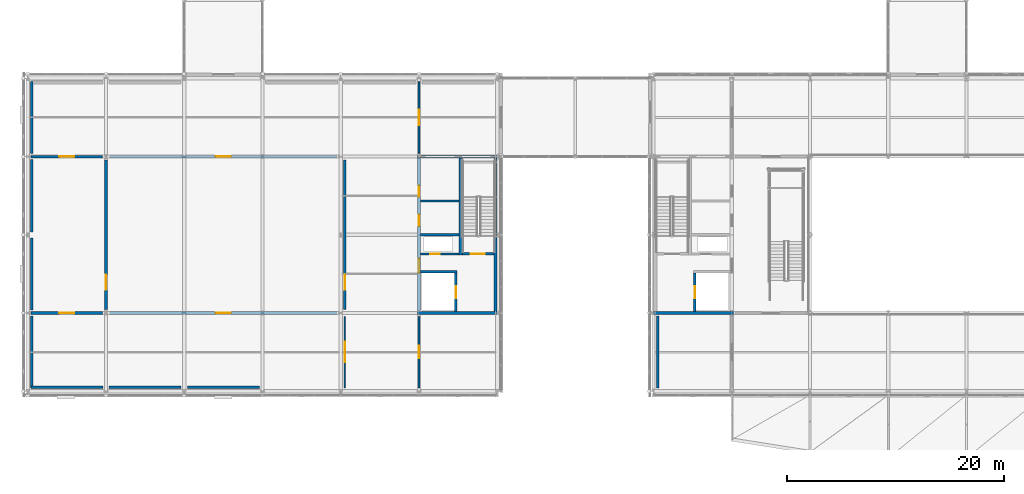
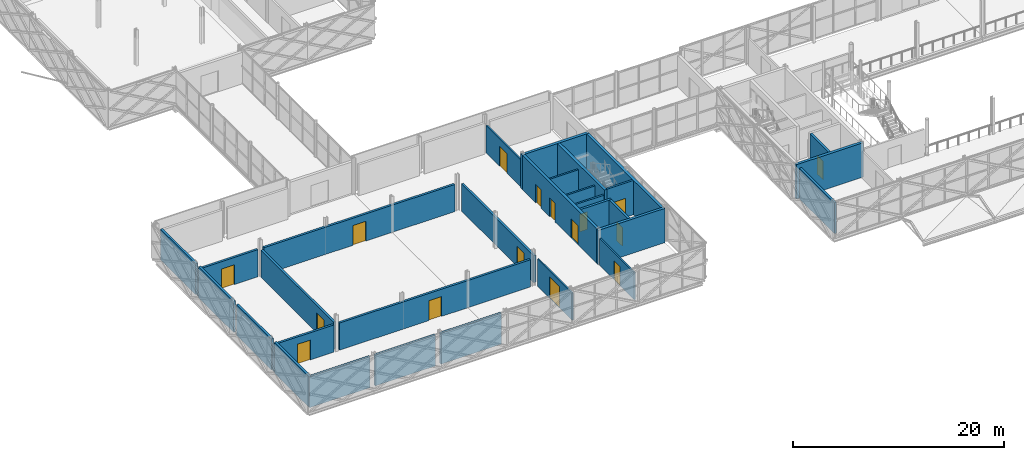
# One storey, part 118 of 146: 30 walls, 16 doors, 16 openings.
"""IFC4 building model written with IfcOpenShell, lengths in metres."""

from ifc_helpers import new_model, si_unit, direction, frame, frame_2d, origin, place, context, subcontext, project, spatial, rectangle, extrude, material, layer, layer_set, type_object, element, fill, save


model = new_model("IFC4")

# Units and contexts
model_context = context("Model", 3, precision=1e-05, world=origin(), true_north=direction((0.0, 1.0)))
body_context = subcontext(model_context, "Body", "Model", "MODEL_VIEW")
ifc_project = project(units=[si_unit("LENGTHUNIT", "METRE"), si_unit("AREAUNIT", "SQUARE_METRE"), si_unit("VOLUMEUNIT", "CUBIC_METRE"), si_unit("PLANEANGLEUNIT", "RADIAN"), si_unit("MASSUNIT", "GRAM", prefix="KILO")], contexts=[model_context])

# Site, building, storey
site_placement = place(None, origin())
site = spatial("IfcSite", under=ifc_project, at=site_placement, CompositionType="ELEMENT")
building_placement = place(site_placement, origin())
building = spatial("IfcBuilding", under=site, at=building_placement, Name="Zlatovets Crest Museum", CompositionType="ELEMENT")
storey_placement = place(building_placement, frame((0.0, 0.0, 4.5)))
storey = spatial("IfcBuildingStorey", under=building, at=storey_placement, Name="L01", CompositionType="ELEMENT", Elevation=4.5)

# Walls
ifc_material_1 = material(Name="Concrete C35/45", Category="concrete")
ifc_layer_1 = layer(ifc_material_1, 0.300048828125)
ifc_layer_set_1 = layer_set([ifc_layer_1], Name="Concrete C35/45")
wall_type_1 = type_object("IfcWallType", Name="CoreWall_SW01", PredefinedType="SHEAR", material=ifc_layer_set_1)
for number, where, z_axis, x_axis, name in (
    (1, (57.60009765625, 7.199951171875, 0.0), (0.0, 0.0, 1.0), (1.0, 0.0, 0.0), "Core C2 L01 South Shear Wall"),
    (2, (35.85009765625, 7.199951171875, 0.0), (0.0, 0.0, 1.0), (1.0, 0.0, 0.0), "Core C3 L01 South Shear Wall"),
    (3, (35.85009765625, 21.60009765625, 0.0), (0.0, 0.0, 1.0), (1.0, 0.0, 0.0), "Core C3 L01 North Shear Wall"),
):
    element("IfcWall", number, at=place(storey_placement, frame(where, z_axis=z_axis, x_axis=x_axis)), inside=storey, type_object=wall_type_1, Name=name, PredefinedType="SHEAR", context=body_context, shape_type="SweptSolid", body=[
        extrude(rectangle(XDim=7.349853515625, YDim=0.300048828125, at=frame_2d((3.6748046875, 0.0))), origin(), (0.0, 0.0, 1.0), 3.97998046875),
    ])
wall_1_placement = place(storey_placement, frame((43.050048828125, 7.35009765625, 0.0), z_axis=(0.0, 0.0, 1.0), x_axis=(0.0, 1.0, 0.0)))
element("IfcWall", 4, at=wall_1_placement, inside=storey, type_object=wall_type_1, Name="Core C3 L01 Perimeter Shear Wall", PredefinedType="SHEAR", context=body_context, shape_type="SweptSolid", body=[
    extrude(rectangle(XDim=14.099853515625, YDim=0.300048828125, at=frame_2d((7.0498046875, 0.0))), origin(), (0.0, 0.0, 1.0), 3.97998046875),
])

# Wall, openings, doors
wall_2_placement = place(storey_placement, frame((36.0, 7.35009765625, 0.0), z_axis=(0.0, 0.0, 1.0), x_axis=(0.0, 1.0, 0.0)))
wall_2 = element("IfcWall", 5, at=wall_2_placement, inside=storey, type_object=wall_type_1, Name="Core C3 L01 Spine Shear Wall", PredefinedType="SHEAR", context=body_context, shape_type="SweptSolid", body=[
    extrude(rectangle(XDim=14.099853515625, YDim=0.300048828125, at=frame_2d((7.0498046875, 0.0))), origin(), (0.0, 0.0, 1.0), 3.97998046875),
])
opening_1_placement = place(wall_2_placement, frame((3.550048828125, 0.0, 0.0)))
opening_1 = element("IfcOpeningElement", 6, at=opening_1_placement, cuts=wall_2, Name="Opening FD-01", PredefinedType="OPENING", context=body_context, shape_type="SweptSolid", body=[
    extrude(rectangle(XDim=1.300048828125, YDim=2.199951171875, at=frame_2d((0.64990234375, 1.10009765625))), frame((0.0, 0.16015625, 0.0), z_axis=(0.0, -1.0, 0.0), x_axis=(1.0, 0.0, 0.0)), (0.0, 0.0, 1.0), 0.320068359375),
])
opening_2_placement = place(wall_2_placement, frame((7.85009765625, 0.0, 0.0)))
opening_2 = element("IfcOpeningElement", 7, at=opening_2_placement, cuts=wall_2, Name="Opening ID-02", PredefinedType="OPENING", context=body_context, shape_type="SweptSolid", body=[
    extrude(rectangle(XDim=1.050048828125, YDim=2.14990234375, at=frame_2d((0.52490234375, 1.074951171875))), frame((0.0, 0.16015625, 0.0), z_axis=(0.0, -1.0, 0.0), x_axis=(1.0, 0.0, 0.0)), (0.0, 0.0, 1.0), 0.320068359375),
])
opening_3_placement = place(wall_2_placement, frame((10.550048828125, 0.0, 0.0)))
opening_3 = element("IfcOpeningElement", 8, at=opening_3_placement, cuts=wall_2, Name="Opening ID-01", PredefinedType="OPENING", context=body_context, shape_type="SweptSolid", body=[
    extrude(rectangle(XDim=1.0, YDim=2.14990234375, at=frame_2d((0.5, 1.074951171875))), frame((0.0, 0.16015625, 0.0), z_axis=(0.0, -1.0, 0.0), x_axis=(1.0, 0.0, 0.0)), (0.0, 0.0, 1.0), 0.320068359375),
])
ifc_material_2 = material(Name="Smoke-sealed steel fire door", Category="steel")
door_type_1 = type_object("IfcDoorType", Name="IntDoor_FD-01", OperationType="NOTDEFINED", PredefinedType="DOOR", material=ifc_material_2)
door_1_placement = place(opening_1_placement, origin())
door_1 = element("IfcDoor", 9, at=door_1_placement, inside=storey, type_object=door_type_1, Name="CDOOR-C3-L01-LOB Core C3 L01 Lobby Fire Door", OperationType="SINGLE_SWING_LEFT", OverallHeight=2.199951171875, OverallWidth=1.300048828125, PredefinedType="DOOR", context=body_context, shape_type="SweptSolid", body=[
    extrude(rectangle(XDim=1.300048828125, YDim=2.199951171875, at=frame_2d((0.64990234375, 1.10009765625))), frame((0.0, 0.02490234375, 0.0), z_axis=(0.0, -1.0, 0.0), x_axis=(1.0, 0.0, 0.0)), (0.0, 0.0, 1.0), 0.050048828125),
])
fill(opening_1, door_1)
ifc_material_3 = material(Name="Solid oak museum room door")
door_type_2 = type_object("IfcDoorType", Name="IntDoor_ID-01", OperationType="NOTDEFINED", PredefinedType="DOOR", material=ifc_material_3)
door_2_placement = place(opening_3_placement, origin())
door_2 = element("IfcDoor", 10, at=door_2_placement, inside=storey, type_object=door_type_2, Name="CDOOR-C3-L01-WC Core C3 L01 Public Restroom Door", OperationType="SINGLE_SWING_RIGHT", OverallHeight=2.14990234375, OverallWidth=1.0, PredefinedType="DOOR", context=body_context, shape_type="SweptSolid", body=[
    extrude(rectangle(XDim=1.0, YDim=2.14990234375, at=frame_2d((0.5, 1.074951171875))), frame((0.0, 0.02490234375, 0.0), z_axis=(0.0, -1.0, 0.0), x_axis=(1.0, 0.0, 0.0)), (0.0, 0.0, 1.0), 0.050048828125),
])
fill(opening_3, door_2)
ifc_material_4 = material(Name="Accessible sanitary room door")
door_type_3 = type_object("IfcDoorType", Name="IntDoor_ID-02", OperationType="NOTDEFINED", PredefinedType="DOOR", material=ifc_material_4)
door_3_placement = place(opening_2_placement, origin())
door_3 = element("IfcDoor", 11, at=door_3_placement, inside=storey, type_object=door_type_3, Name="CDOOR-C3-L01-AWC Core C3 L01 Accessible WC Door", OperationType="SINGLE_SWING_LEFT", OverallHeight=2.14990234375, OverallWidth=1.050048828125, PredefinedType="DOOR", context=body_context, shape_type="SweptSolid", body=[
    extrude(rectangle(XDim=1.050048828125, YDim=2.14990234375, at=frame_2d((0.52490234375, 1.074951171875))), frame((0.0, 0.02490234375, 0.0), z_axis=(0.0, -1.0, 0.0), x_axis=(1.0, 0.0, 0.0)), (0.0, 0.0, 1.0), 0.050048828125),
])
fill(opening_2, door_3)

# Wall
wall_3_placement = place(storey_placement, frame((39.85009765625, 12.5400390625, 0.0), z_axis=(0.0, 0.0, 1.0), x_axis=(0.0, 1.0, 0.0)))
element("IfcWall", 12, at=wall_3_placement, inside=storey, type_object=wall_type_1, Name="Core C3 L01 Stair Divider Wall", PredefinedType="SHEAR", context=body_context, shape_type="SweptSolid", body=[
    extrude(rectangle(XDim=8.909912109375, YDim=0.300048828125, at=frame_2d((4.455078125, 0.0))), origin(), (0.0, 0.0, 1.0), 3.97998046875),
])

# Wall, opening, door
ifc_layer_2 = layer(ifc_material_1, 0.25)
ifc_layer_set_2 = layer_set([ifc_layer_2], Name="Concrete C35/45")
wall_type_2 = type_object("IfcWallType", Name="CoreWall_SW02", PredefinedType="SHEAR", material=ifc_layer_set_2)
wall_4_placement = place(storey_placement, frame((61.39990234375, 7.35009765625, 0.0), z_axis=(0.0, 0.0, 1.0), x_axis=(0.0, 1.0, 0.0)))
wall_4 = element("IfcWall", 13, at=wall_4_placement, inside=storey, type_object=wall_type_2, Name="Core C2 L01 Lift Shaft Wall", PredefinedType="SHEAR", context=body_context, shape_type="SweptSolid", body=[
    extrude(rectangle(XDim=3.52490234375, YDim=0.25, at=frame_2d((1.762451171875, 0.0))), origin(), (0.0, 0.0, 1.0), 3.97998046875),
])
opening_4_placement = place(wall_4_placement, frame((1.199951171875, 0.0, 0.0)))
opening_4 = element("IfcOpeningElement", 14, at=opening_4_placement, cuts=wall_4, Name="Opening LD-01", PredefinedType="OPENING", context=body_context, shape_type="SweptSolid", body=[
    extrude(rectangle(XDim=1.10009765625, YDim=2.14990234375, at=frame_2d((0.550048828125, 1.074951171875))), frame((0.0, 0.135009765625, 0.0), z_axis=(0.0, -1.0, 0.0), x_axis=(1.0, 0.0, 0.0)), (0.0, 0.0, 1.0), 0.27001953125),
])
ifc_material_5 = material(Name="Stainless-bronze sliding lift landing door")
door_type_4 = type_object("IfcDoorType", Name="IntDoor_LD-01", OperationType="SLIDING_TO_LEFT", PredefinedType="DOOR", material=ifc_material_5)
door_4_placement = place(opening_4_placement, origin())
door_4 = element("IfcDoor", 15, at=door_4_placement, inside=storey, type_object=door_type_4, Name="LDOOR-PL3-L01 Lift PL3 L01 Sliding Landing Door", OperationType="SLIDING_TO_LEFT", OverallHeight=2.14990234375, OverallWidth=1.10009765625, PredefinedType="DOOR", context=body_context, shape_type="SweptSolid", body=[
    extrude(rectangle(XDim=1.10009765625, YDim=2.14990234375, at=frame_2d((0.550048828125, 1.074951171875))), frame((0.0, 0.02490234375, 0.0), z_axis=(0.0, -1.0, 0.0), x_axis=(1.0, 0.0, 0.0)), (0.0, 0.0, 1.0), 0.050048828125),
])
fill(opening_4, door_4)

wall_5_placement = place(storey_placement, frame((39.39990234375, 7.35009765625, 0.0), z_axis=(0.0, 0.0, 1.0), x_axis=(0.0, 1.0, 0.0)))
wall_5 = element("IfcWall", 16, at=wall_5_placement, inside=storey, type_object=wall_type_2, Name="Core C3 L01 Lift Shaft Wall", PredefinedType="SHEAR", context=body_context, shape_type="SweptSolid", body=[
    extrude(rectangle(XDim=3.52490234375, YDim=0.25, at=frame_2d((1.762451171875, 0.0))), origin(), (0.0, 0.0, 1.0), 3.97998046875),
])
opening_5_placement = place(wall_5_placement, frame((1.199951171875, 0.0, 0.0)))
opening_5 = element("IfcOpeningElement", 17, at=opening_5_placement, cuts=wall_5, Name="Opening LD-01", PredefinedType="OPENING", context=body_context, shape_type="SweptSolid", body=[
    extrude(rectangle(XDim=1.10009765625, YDim=2.14990234375, at=frame_2d((0.550048828125, 1.074951171875))), frame((0.0, 0.135009765625, 0.0), z_axis=(0.0, -1.0, 0.0), x_axis=(1.0, 0.0, 0.0)), (0.0, 0.0, 1.0), 0.27001953125),
])
door_5_placement = place(opening_5_placement, origin())
door_5 = element("IfcDoor", 18, at=door_5_placement, inside=storey, type_object=door_type_4, Name="LDOOR-PL1-L01 Lift PL1 L01 Sliding Landing Door", OperationType="SLIDING_TO_LEFT", OverallHeight=2.14990234375, OverallWidth=1.10009765625, PredefinedType="DOOR", context=body_context, shape_type="SweptSolid", body=[
    extrude(rectangle(XDim=1.10009765625, YDim=2.14990234375, at=frame_2d((0.550048828125, 1.074951171875))), frame((0.0, 0.02490234375, 0.0), z_axis=(0.0, -1.0, 0.0), x_axis=(1.0, 0.0, 0.0)), (0.0, 0.0, 1.0), 0.050048828125),
])
fill(opening_5, door_5)

wall_6_placement = place(storey_placement, frame((40.0, 12.64990234375, 0.0), z_axis=(0.0, 0.0, 1.0), x_axis=(1.0, 0.0, 0.0)))
wall_6 = element("IfcWall", 19, at=wall_6_placement, inside=storey, type_object=wall_type_2, Name="Core C3 L01 Stairwell Fire Wall", PredefinedType="SHEAR", context=body_context, shape_type="SweptSolid", body=[
    extrude(rectangle(XDim=2.89990234375, YDim=0.219970703125, at=frame_2d((1.449951171875, 0.0))), origin(), (0.0, 0.0, 1.0), 3.97998046875),
])
opening_6_placement = place(wall_6_placement, frame((0.75, 0.0, 0.0)))
opening_6 = element("IfcOpeningElement", 20, at=opening_6_placement, cuts=wall_6, Name="Opening FD-01", PredefinedType="OPENING", context=body_context, shape_type="SweptSolid", body=[
    extrude(rectangle(XDim=1.300048828125, YDim=2.199951171875, at=frame_2d((0.64990234375, 1.10009765625))), frame((0.0, 0.1201171875, 0.0), z_axis=(0.0, -1.0, 0.0), x_axis=(1.0, 0.0, 0.0)), (0.0, 0.0, 1.0), 0.239990234375),
])
door_6_placement = place(opening_6_placement, origin())
door_6 = element("IfcDoor", 21, at=door_6_placement, inside=storey, type_object=door_type_1, Name="SDOOR-ST3-L01 Stair ST3 L01 Fire Door", OperationType="SINGLE_SWING_LEFT", OverallHeight=2.199951171875, OverallWidth=1.300048828125, PredefinedType="DOOR", context=body_context, shape_type="SweptSolid", body=[
    extrude(rectangle(XDim=1.300048828125, YDim=2.199951171875, at=frame_2d((0.64990234375, 1.10009765625))), frame((0.0, 0.02490234375, 0.0), z_axis=(0.0, -1.0, 0.0), x_axis=(1.0, 0.0, 0.0)), (0.0, 0.0, 1.0), 0.050048828125),
])
fill(opening_6, door_6)

# Walls
wall_7_placement = place(storey_placement, frame((36.14990234375, 11.0, 0.0), z_axis=(0.0, 0.0, 1.0), x_axis=(1.0, 0.0, 0.0)))
element("IfcWall", 22, at=wall_7_placement, inside=storey, type_object=wall_type_2, Name="Core C3 L01 Lift Shaft North Shear Wall", PredefinedType="SHEAR", context=body_context, shape_type="SweptSolid", body=[
    extrude(rectangle(XDim=3.375, YDim=0.25, at=frame_2d((1.6875, 0.0))), origin(), (0.0, 0.0, 1.0), 3.97998046875),
])
ifc_material_6 = material(Name="Insulated gallery conservation liner wall", Category="concrete")
ifc_layer_3 = layer(ifc_material_6, 0.300048828125)
ifc_layer_set_3 = layer_set([ifc_layer_3], Name="Insulated gallery conservation liner wall")
wall_type_3 = type_object("IfcWallType", Name="ExtWall_EW-02", PredefinedType="STANDARD", material=ifc_layer_set_3)
for number, where, z_axis, x_axis, name in (
    (23, (57.97998046875, 6.919921875, 0.0), (0.0, 0.0, 1.0), (0.0, -1.0, 0.0), "V2 L01 Interior Conservation Gallery Liner Wall"),
    (24, (0.280029296875, 0.3798828125, 0.0), (0.0, 0.0, 1.0), (1.0, 0.0, 0.0), "V3 L01 Interior Conservation Gallery Liner Wall"),
):
    element("IfcWall", number, at=place(storey_placement, frame(where, z_axis=z_axis, x_axis=x_axis)), inside=storey, type_object=wall_type_3, Name=name, PredefinedType="STANDARD", context=body_context, shape_type="SweptSolid", body=[
        extrude(rectangle(XDim=6.639892578125, YDim=0.239990234375, at=frame_2d((3.31982421875, 0.0))), origin(), (0.0, 0.0, 1.0), 3.580078125),
    ])
for number, where, z_axis, x_axis, name in (
    (25, (7.47998046875, 0.3798828125, 0.0), (0.0, 0.0, 1.0), (1.0, 0.0, 0.0), "V3 L01 Interior Conservation Gallery Liner Wall"),
    (26, (14.679931640625, 0.3798828125, 0.0), (0.0, 0.0, 1.0), (1.0, 0.0, 0.0), "V3 L01 Interior Conservation Gallery Liner Wall"),
    (27, (0.3798828125, 28.52001953125, 0.0), (0.0, 0.0, 1.0), (0.0, -1.0, 0.0), "V3 L01 Interior Conservation Gallery Liner Wall"),
    (28, (0.3798828125, 21.320068359375, 0.0), (0.0, 0.0, 1.0), (0.0, -1.0, 0.0), "V3 L01 Interior Conservation Gallery Liner Wall"),
    (29, (0.3798828125, 14.1201171875, 0.0), (0.0, 0.0, 1.0), (0.0, -1.0, 0.0), "V3 L01 Interior Conservation Gallery Liner Wall"),
):
    element("IfcWall", number, at=place(storey_placement, frame(where, z_axis=z_axis, x_axis=x_axis)), inside=storey, type_object=wall_type_3, Name=name, PredefinedType="STANDARD", context=body_context, shape_type="SweptSolid", body=[
        extrude(rectangle(XDim=6.64013671875, YDim=0.239990234375, at=frame_2d((3.320068359375, 0.0))), origin(), (0.0, 0.0, 1.0), 3.580078125),
    ])
wall_8_placement = place(storey_placement, frame((0.3798828125, 6.919921875, 0.0), z_axis=(0.0, 0.0, 1.0), x_axis=(0.0, -1.0, 0.0)))
element("IfcWall", 30, at=wall_8_placement, inside=storey, type_object=wall_type_3, Name="V3 L01 Interior Conservation Gallery Liner Wall", PredefinedType="STANDARD", context=body_context, shape_type="SweptSolid", body=[
    extrude(rectangle(XDim=6.639892578125, YDim=0.239990234375, at=frame_2d((3.31982421875, 0.0))), origin(), (0.0, 0.0, 1.0), 3.580078125),
])

# Wall, opening, door
ifc_material_7 = material(Name="Acoustic museum gallery stud partition")
ifc_layer_4 = layer(ifc_material_7, 0.159912109375)
ifc_layer_set_4 = layer_set([ifc_layer_4], Name="Acoustic museum gallery stud partition")
wall_type_4 = type_object("IfcWallType", Name="PartWall_PT-02", PredefinedType="PARTITIONING", material=ifc_layer_set_4)
wall_9_placement = place(storey_placement, frame((29.179931640625, 0.320068359375, 0.0), z_axis=(0.0, 0.0, 1.0), x_axis=(0.0, 1.0, 0.0)))
wall_9 = element("IfcWall", 31, at=wall_9_placement, inside=storey, type_object=wall_type_4, Name="V3 L01 Interior Partition PT-02", PredefinedType="PARTITIONING", context=body_context, shape_type="SweptSolid", body=[
    extrude(rectangle(XDim=6.559814453125, YDim=0.159912109375, at=frame_2d((3.27978515625, 0.0))), origin(), (0.0, 0.0, 1.0), 3.14990234375),
])
opening_7_placement = place(wall_9_placement, frame((2.330078125, 0.0, 0.0)))
opening_7 = element("IfcOpeningElement", 32, at=opening_7_placement, cuts=wall_9, Name="Opening ID-05", PredefinedType="OPENING", context=body_context, shape_type="SweptSolid", body=[
    extrude(rectangle(XDim=1.89990234375, YDim=2.449951171875, at=frame_2d((0.949951171875, 1.22509765625))), frame((0.0, 0.08984375, 0.0), z_axis=(0.0, -1.0, 0.0), x_axis=(1.0, 0.0, 0.0)), (0.0, 0.0, 1.0), 0.179931640625),
])
ifc_material_8 = material(Name="Monumental exhibition hall double door")
door_type_5 = type_object("IfcDoorType", Name="IntDoor_ID-05", OperationType="DOUBLE_DOOR_SINGLE_SWING", PredefinedType="DOOR", material=ifc_material_8)
door_7_placement = place(opening_7_placement, origin())
door_7 = element("IfcDoor", 33, at=door_7_placement, inside=storey, type_object=door_type_5, Name="IDOOR-V3-L01-0119 Youth Art Education Studio to Balcony Bridge Foyer Door", OperationType="DOUBLE_DOOR_SINGLE_SWING", OverallHeight=2.449951171875, OverallWidth=1.89990234375, PredefinedType="DOOR", context=body_context, shape_type="SweptSolid", body=[
    extrude(rectangle(XDim=1.89990234375, YDim=2.449951171875, at=frame_2d((0.949951171875, 1.22509765625))), frame((0.0, 0.02490234375, 0.0), z_axis=(0.0, -1.0, 0.0), x_axis=(1.0, 0.0, 0.0)), (0.0, 0.0, 1.0), 0.050048828125),
])
fill(opening_7, door_7)

wall_10_placement = place(storey_placement, frame((36.0, 21.919921875, 0.0), z_axis=(0.0, 0.0, 1.0), x_axis=(0.0, 1.0, 0.0)))
wall_10 = element("IfcWall", 34, at=wall_10_placement, inside=storey, type_object=wall_type_4, Name="V3 L01 Interior Partition PT-02", PredefinedType="PARTITIONING", context=body_context, shape_type="SweptSolid", body=[
    extrude(rectangle(XDim=6.56005859375, YDim=0.159912109375, at=frame_2d((3.280029296875, 0.0))), origin(), (0.0, 0.0, 1.0), 3.14990234375),
])
opening_8_placement = place(wall_10_placement, frame((2.580078125, 0.0, 0.0)))
opening_8 = element("IfcOpeningElement", 35, at=opening_8_placement, cuts=wall_10, Name="Opening ID-06", PredefinedType="OPENING", context=body_context, shape_type="SweptSolid", body=[
    extrude(rectangle(XDim=1.39990234375, YDim=2.300048828125, at=frame_2d((0.699951171875, 1.14990234375))), frame((0.0, 0.08984375, 0.0), z_axis=(0.0, -1.0, 0.0), x_axis=(1.0, 0.0, 0.0)), (0.0, 0.0, 1.0), 0.179931640625),
])
ifc_material_9 = material(Name="Auditorium acoustic vestibule double door")
door_type_6 = type_object("IfcDoorType", Name="IntDoor_ID-06", OperationType="DOUBLE_DOOR_SINGLE_SWING", PredefinedType="DOOR", material=ifc_material_9)
door_8_placement = place(opening_8_placement, origin())
door_8 = element("IfcDoor", 36, at=door_8_placement, inside=storey, type_object=door_type_6, Name="IDOOR-V3-L01-0120 Sculpture Modelling Workshop to School Group Briefing Room Door", OperationType="DOUBLE_DOOR_SINGLE_SWING", OverallHeight=2.300048828125, OverallWidth=1.39990234375, PredefinedType="DOOR", context=body_context, shape_type="SweptSolid", body=[
    extrude(rectangle(XDim=1.39990234375, YDim=2.300048828125, at=frame_2d((0.699951171875, 1.14990234375))), frame((0.0, 0.02490234375, 0.0), z_axis=(0.0, -1.0, 0.0), x_axis=(1.0, 0.0, 0.0)), (0.0, 0.0, 1.0), 0.050048828125),
])
fill(opening_8, door_8)

wall_11_placement = place(storey_placement, frame((36.0, 0.320068359375, 0.0), z_axis=(0.0, 0.0, 1.0), x_axis=(0.0, 1.0, 0.0)))
wall_11 = element("IfcWall", 37, at=wall_11_placement, inside=storey, type_object=wall_type_4, Name="V3 L01 Interior Partition PT-02", PredefinedType="PARTITIONING", context=body_context, shape_type="SweptSolid", body=[
    extrude(rectangle(XDim=6.559814453125, YDim=0.159912109375, at=frame_2d((3.27978515625, 0.0))), origin(), (0.0, 0.0, 1.0), 3.14990234375),
])
opening_9_placement = place(wall_11_placement, frame((2.705078125, 0.0, 0.0)))
opening_9 = element("IfcOpeningElement", 38, at=opening_9_placement, cuts=wall_11, Name="Opening ID-07", PredefinedType="OPENING", context=body_context, shape_type="SweptSolid", body=[
    extrude(rectangle(XDim=1.14990234375, YDim=2.199951171875, at=frame_2d((0.574951171875, 1.10009765625))), frame((0.0, 0.08984375, 0.0), z_axis=(0.0, -1.0, 0.0), x_axis=(1.0, 0.0, 0.0)), (0.0, 0.0, 1.0), 0.179931640625),
])
ifc_material_10 = material(Name="Curatorial study glazed oak door")
door_type_7 = type_object("IfcDoorType", Name="IntDoor_ID-07", OperationType="NOTDEFINED", PredefinedType="DOOR", material=ifc_material_10)
door_9_placement = place(opening_9_placement, origin())
door_9 = element("IfcDoor", 39, at=door_9_placement, inside=storey, type_object=door_type_7, Name="IDOOR-V3-L01-0121 Balcony Bridge Foyer to East Bridge Vestibule L01 Door", OperationType="SINGLE_SWING_RIGHT", OverallHeight=2.199951171875, OverallWidth=1.14990234375, PredefinedType="DOOR", context=body_context, shape_type="SweptSolid", body=[
    extrude(rectangle(XDim=1.14990234375, YDim=2.199951171875, at=frame_2d((0.574951171875, 1.10009765625))), frame((0.0, 0.02490234375, 0.0), z_axis=(0.0, -1.0, 0.0), x_axis=(1.0, 0.0, 0.0)), (0.0, 0.0, 1.0), 0.050048828125),
])
fill(opening_9, door_9)

ifc_material_11 = material(Name="Double-stud auditorium acoustic partition")
ifc_layer_5 = layer(ifc_material_11, 0.239990234375)
ifc_layer_set_5 = layer_set([ifc_layer_5], Name="Double-stud auditorium acoustic partition")
wall_type_5 = type_object("IfcWallType", Name="PartWall_PT-03", PredefinedType="PARTITIONING", material=ifc_layer_set_5)
wall_12_placement = place(storey_placement, frame((7.199951171875, 7.52001953125, 0.0), z_axis=(0.0, 0.0, 1.0), x_axis=(0.0, 1.0, 0.0)))
wall_12 = element("IfcWall", 40, at=wall_12_placement, inside=storey, type_object=wall_type_5, Name="V3 L01 Interior Partition PT-03", PredefinedType="PARTITIONING", context=body_context, shape_type="SweptSolid", body=[
    extrude(rectangle(XDim=13.760009765625, YDim=0.239990234375, at=frame_2d((6.8798828125, 0.0))), origin(), (0.0, 0.0, 1.0), 3.14990234375),
])
opening_10_placement = place(wall_12_placement, frame((1.8017578125, 0.0, 0.0)))
opening_10 = element("IfcOpeningElement", 41, at=opening_10_placement, cuts=wall_12, Name="Opening ID-06", PredefinedType="OPENING", context=body_context, shape_type="SweptSolid", body=[
    extrude(rectangle(XDim=1.39990234375, YDim=2.300048828125, at=frame_2d((0.699951171875, 1.14990234375))), frame((0.0, 0.1298828125, 0.0), z_axis=(0.0, -1.0, 0.0), x_axis=(1.0, 0.0, 0.0)), (0.0, 0.0, 1.0), 0.260009765625),
])
door_10_placement = place(opening_10_placement, origin())
door_10 = element("IfcDoor", 42, at=door_10_placement, inside=storey, type_object=door_type_6, Name="IDOOR-V3-L01-0113 Auditorium Upper Tier to Projection and Interpretation Booth Door", OperationType="DOUBLE_DOOR_SINGLE_SWING", OverallHeight=2.300048828125, OverallWidth=1.39990234375, PredefinedType="DOOR", context=body_context, shape_type="SweptSolid", body=[
    extrude(rectangle(XDim=1.39990234375, YDim=2.300048828125, at=frame_2d((0.699951171875, 1.14990234375))), frame((0.0, 0.02490234375, 0.0), z_axis=(0.0, -1.0, 0.0), x_axis=(1.0, 0.0, 0.0)), (0.0, 0.0, 1.0), 0.050048828125),
])
fill(opening_10, door_10)

wall_13_placement = place(storey_placement, frame((7.52001953125, 7.199951171875, 0.0), z_axis=(0.0, 0.0, 1.0), x_axis=(1.0, 0.0, 0.0)))
wall_13 = element("IfcWall", 43, at=wall_13_placement, inside=storey, type_object=wall_type_5, Name="V3 L01 Interior Partition PT-03", PredefinedType="PARTITIONING", context=body_context, shape_type="SweptSolid", body=[
    extrude(rectangle(XDim=20.9599609375, YDim=0.239990234375, at=frame_2d((10.47998046875, 0.0))), origin(), (0.0, 0.0, 1.0), 3.14990234375),
])
opening_11_placement = place(wall_13_placement, frame((9.780029296875, 0.0, 0.0)))
opening_11 = element("IfcOpeningElement", 44, at=opening_11_placement, cuts=wall_13, Name="Opening ID-06", PredefinedType="OPENING", context=body_context, shape_type="SweptSolid", body=[
    extrude(rectangle(XDim=1.39990234375, YDim=2.300048828125, at=frame_2d((0.699951171875, 1.14990234375))), frame((0.0, 0.1298828125, 0.0), z_axis=(0.0, -1.0, 0.0), x_axis=(1.0, 0.0, 0.0)), (0.0, 0.0, 1.0), 0.260009765625),
])
door_11_placement = place(opening_11_placement, origin())
door_11 = element("IfcDoor", 45, at=door_11_placement, inside=storey, type_object=door_type_6, Name="IDOOR-V3-L01-0114 Auditorium Upper Tier to Youth Art Education Studio Door", OperationType="DOUBLE_DOOR_SINGLE_SWING", OverallHeight=2.300048828125, OverallWidth=1.39990234375, PredefinedType="DOOR", context=body_context, shape_type="SweptSolid", body=[
    extrude(rectangle(XDim=1.39990234375, YDim=2.300048828125, at=frame_2d((0.699951171875, 1.14990234375))), frame((0.0, 0.02490234375, 0.0), z_axis=(0.0, -1.0, 0.0), x_axis=(1.0, 0.0, 0.0)), (0.0, 0.0, 1.0), 0.050048828125),
])
fill(opening_11, door_11)

wall_14_placement = place(storey_placement, frame((7.52001953125, 21.60009765625, 0.0), z_axis=(0.0, 0.0, 1.0), x_axis=(1.0, 0.0, 0.0)))
wall_14 = element("IfcWall", 46, at=wall_14_placement, inside=storey, type_object=wall_type_5, Name="V3 L01 Interior Partition PT-03", PredefinedType="PARTITIONING", context=body_context, shape_type="SweptSolid", body=[
    extrude(rectangle(XDim=20.9599609375, YDim=0.239990234375, at=frame_2d((10.47998046875, 0.0))), origin(), (0.0, 0.0, 1.0), 3.14990234375),
])
opening_12_placement = place(wall_14_placement, frame((9.780029296875, 0.0, 0.0)))
opening_12 = element("IfcOpeningElement", 47, at=opening_12_placement, cuts=wall_14, Name="Opening ID-06", PredefinedType="OPENING", context=body_context, shape_type="SweptSolid", body=[
    extrude(rectangle(XDim=1.39990234375, YDim=2.300048828125, at=frame_2d((0.699951171875, 1.14990234375))), frame((0.0, 0.1298828125, 0.0), z_axis=(0.0, -1.0, 0.0), x_axis=(1.0, 0.0, 0.0)), (0.0, 0.0, 1.0), 0.260009765625),
])
door_12_placement = place(opening_12_placement, origin())
door_12 = element("IfcDoor", 48, at=door_12_placement, inside=storey, type_object=door_type_6, Name="IDOOR-V3-L01-0115 Auditorium Upper Tier to Sculpture Modelling Workshop Door", OperationType="DOUBLE_DOOR_SINGLE_SWING", OverallHeight=2.300048828125, OverallWidth=1.39990234375, PredefinedType="DOOR", context=body_context, shape_type="SweptSolid", body=[
    extrude(rectangle(XDim=1.39990234375, YDim=2.300048828125, at=frame_2d((0.699951171875, 1.14990234375))), frame((0.0, 0.02490234375, 0.0), z_axis=(0.0, -1.0, 0.0), x_axis=(1.0, 0.0, 0.0)), (0.0, 0.0, 1.0), 0.050048828125),
])
fill(opening_12, door_12)

wall_15_placement = place(storey_placement, frame((29.179931640625, 7.52001953125, 0.0), z_axis=(0.0, 0.0, 1.0), x_axis=(0.0, 1.0, 0.0)))
wall_15 = element("IfcWall", 49, at=wall_15_placement, inside=storey, type_object=wall_type_5, Name="V3 L01 Interior Partition PT-03", PredefinedType="PARTITIONING", context=body_context, shape_type="SweptSolid", body=[
    extrude(rectangle(XDim=13.760009765625, YDim=0.239990234375, at=frame_2d((6.8798828125, 0.0))), origin(), (0.0, 0.0, 1.0), 3.14990234375),
])
opening_13_placement = place(wall_15_placement, frame((1.8017578125, 0.0, 0.0)))
opening_13 = element("IfcOpeningElement", 50, at=opening_13_placement, cuts=wall_15, Name="Opening ID-06", PredefinedType="OPENING", context=body_context, shape_type="SweptSolid", body=[
    extrude(rectangle(XDim=1.39990234375, YDim=2.300048828125, at=frame_2d((0.699951171875, 1.14990234375))), frame((0.0, 0.1298828125, 0.0), z_axis=(0.0, -1.0, 0.0), x_axis=(1.0, 0.0, 0.0)), (0.0, 0.0, 1.0), 0.260009765625),
])
door_13_placement = place(opening_13_placement, origin())
door_13 = element("IfcDoor", 51, at=door_13_placement, inside=storey, type_object=door_type_6, Name="IDOOR-V3-L01-0116 Auditorium Upper Tier to Balcony Bridge Foyer Door", OperationType="DOUBLE_DOOR_SINGLE_SWING", OverallHeight=2.300048828125, OverallWidth=1.39990234375, PredefinedType="DOOR", context=body_context, shape_type="SweptSolid", body=[
    extrude(rectangle(XDim=1.39990234375, YDim=2.300048828125, at=frame_2d((0.699951171875, 1.14990234375))), frame((0.0, 0.02490234375, 0.0), z_axis=(0.0, -1.0, 0.0), x_axis=(1.0, 0.0, 0.0)), (0.0, 0.0, 1.0), 0.050048828125),
])
fill(opening_13, door_13)

wall_16_placement = place(storey_placement, frame((0.320068359375, 7.199951171875, 0.0), z_axis=(0.0, 0.0, 1.0), x_axis=(1.0, 0.0, 0.0)))
wall_16 = element("IfcWall", 52, at=wall_16_placement, inside=storey, type_object=wall_type_5, Name="V3 L01 Interior Partition PT-03", PredefinedType="PARTITIONING", context=body_context, shape_type="SweptSolid", body=[
    extrude(rectangle(XDim=6.559814453125, YDim=0.239990234375, at=frame_2d((3.27978515625, 0.0))), origin(), (0.0, 0.0, 1.0), 3.14990234375),
])
opening_14_placement = place(wall_16_placement, frame((2.580078125, 0.0, 0.0)))
opening_14 = element("IfcOpeningElement", 53, at=opening_14_placement, cuts=wall_16, Name="Opening ID-06", PredefinedType="OPENING", context=body_context, shape_type="SweptSolid", body=[
    extrude(rectangle(XDim=1.39990234375, YDim=2.300048828125, at=frame_2d((0.699951171875, 1.14990234375))), frame((0.0, 0.1298828125, 0.0), z_axis=(0.0, -1.0, 0.0), x_axis=(1.0, 0.0, 0.0)), (0.0, 0.0, 1.0), 0.260009765625),
])
door_14_placement = place(opening_14_placement, origin())
door_14 = element("IfcDoor", 54, at=door_14_placement, inside=storey, type_object=door_type_6, Name="IDOOR-V3-L01-0117 Projection and Interpretation Booth to Youth Art Education Studio Door", OperationType="DOUBLE_DOOR_SINGLE_SWING", OverallHeight=2.300048828125, OverallWidth=1.39990234375, PredefinedType="DOOR", context=body_context, shape_type="SweptSolid", body=[
    extrude(rectangle(XDim=1.39990234375, YDim=2.300048828125, at=frame_2d((0.699951171875, 1.14990234375))), frame((0.0, 0.02490234375, 0.0), z_axis=(0.0, -1.0, 0.0), x_axis=(1.0, 0.0, 0.0)), (0.0, 0.0, 1.0), 0.050048828125),
])
fill(opening_14, door_14)

wall_17_placement = place(storey_placement, frame((0.320068359375, 21.60009765625, 0.0), z_axis=(0.0, 0.0, 1.0), x_axis=(1.0, 0.0, 0.0)))
wall_17 = element("IfcWall", 55, at=wall_17_placement, inside=storey, type_object=wall_type_5, Name="V3 L01 Interior Partition PT-03", PredefinedType="PARTITIONING", context=body_context, shape_type="SweptSolid", body=[
    extrude(rectangle(XDim=6.559814453125, YDim=0.239990234375, at=frame_2d((3.27978515625, 0.0))), origin(), (0.0, 0.0, 1.0), 3.14990234375),
])
opening_15_placement = place(wall_17_placement, frame((2.580078125, 0.0, 0.0)))
opening_15 = element("IfcOpeningElement", 56, at=opening_15_placement, cuts=wall_17, Name="Opening ID-06", PredefinedType="OPENING", context=body_context, shape_type="SweptSolid", body=[
    extrude(rectangle(XDim=1.39990234375, YDim=2.300048828125, at=frame_2d((0.699951171875, 1.14990234375))), frame((0.0, 0.1298828125, 0.0), z_axis=(0.0, -1.0, 0.0), x_axis=(1.0, 0.0, 0.0)), (0.0, 0.0, 1.0), 0.260009765625),
])
door_15_placement = place(opening_15_placement, origin())
door_15 = element("IfcDoor", 57, at=door_15_placement, inside=storey, type_object=door_type_6, Name="IDOOR-V3-L01-0118 Projection and Interpretation Booth to Sculpture Modelling Workshop Door", OperationType="DOUBLE_DOOR_SINGLE_SWING", OverallHeight=2.300048828125, OverallWidth=1.39990234375, PredefinedType="DOOR", context=body_context, shape_type="SweptSolid", body=[
    extrude(rectangle(XDim=1.39990234375, YDim=2.300048828125, at=frame_2d((0.699951171875, 1.14990234375))), frame((0.0, 0.02490234375, 0.0), z_axis=(0.0, -1.0, 0.0), x_axis=(1.0, 0.0, 0.0)), (0.0, 0.0, 1.0), 0.050048828125),
])
fill(opening_15, door_15)

ifc_material_12 = material(Name="Sanitary core acoustic service wall")
ifc_layer_6 = layer(ifc_material_12, 0.219970703125)
ifc_layer_set_6 = layer_set([ifc_layer_6], Name="Sanitary core acoustic service wall")
wall_type_6 = type_object("IfcWallType", Name="PartWall_PT-04", PredefinedType="PLUMBINGWALL", material=ifc_layer_set_6)
wall_18_placement = place(storey_placement, frame((36.14990234375, 12.64990234375, 0.0), z_axis=(0.0, 0.0, 1.0), x_axis=(1.0, 0.0, 0.0)))
wall_18 = element("IfcWall", 58, at=wall_18_placement, inside=storey, type_object=wall_type_6, Name="Core C3 L01 Riser Lobby Wall", PredefinedType="PLUMBINGWALL", context=body_context, shape_type="SweptSolid", body=[
    extrude(rectangle(XDim=3.550048828125, YDim=0.199951171875, at=frame_2d((1.77490234375, 0.0))), origin(), (0.0, 0.0, 1.0), 3.39990234375),
])
opening_16_placement = place(wall_18_placement, frame((0.89990234375, 0.0, 0.0)))
opening_16 = element("IfcOpeningElement", 59, at=opening_16_placement, cuts=wall_18, Name="Opening FD-03", PredefinedType="OPENING", context=body_context, shape_type="SweptSolid", body=[
    extrude(rectangle(XDim=0.85009765625, YDim=2.050048828125, at=frame_2d((0.425048828125, 1.02490234375))), frame((0.0, 0.10986328125, 0.0), z_axis=(0.0, -1.0, 0.0), x_axis=(1.0, 0.0, 0.0)), (0.0, 0.0, 1.0), 0.219970703125),
])
ifc_material_13 = material(Name="Steel riser shaft access fire door", Category="steel")
door_type_8 = type_object("IfcDoorType", Name="IntDoor_FD-03", OperationType="NOTDEFINED", PredefinedType="TRAPDOOR", material=ifc_material_13)
door_16_placement = place(opening_16_placement, origin())
door_16 = element("IfcDoor", 60, at=door_16_placement, inside=storey, type_object=door_type_8, Name="CDOOR-C3-L01-RIS Core C3 L01 Riser Access Door", OperationType="SINGLE_SWING_RIGHT", OverallHeight=2.050048828125, OverallWidth=0.85009765625, PredefinedType="TRAPDOOR", context=body_context, shape_type="SweptSolid", body=[
    extrude(rectangle(XDim=0.85009765625, YDim=2.050048828125, at=frame_2d((0.425048828125, 1.02490234375))), frame((0.0, 0.02490234375, 0.0), z_axis=(0.0, -1.0, 0.0), x_axis=(1.0, 0.0, 0.0)), (0.0, 0.0, 1.0), 0.050048828125),
])
fill(opening_16, door_16)

# Walls
for number, where, z_axis, x_axis, name in (
    (61, (36.14990234375, 14.39990234375, 0.0), (0.0, 0.0, 1.0), (1.0, 0.0, 0.0), "Core C3 L01 Sanitary Divider"),
    (62, (36.14990234375, 17.5, 0.0), (0.0, 0.0, 1.0), (1.0, 0.0, 0.0), "Core C3 L01 Sanitary Divider"),
):
    element("IfcWall", number, at=place(storey_placement, frame(where, z_axis=z_axis, x_axis=x_axis)), inside=storey, type_object=wall_type_6, Name=name, PredefinedType="PLUMBINGWALL", context=body_context, shape_type="SweptSolid", body=[
        extrude(rectangle(XDim=3.550048828125, YDim=0.199951171875, at=frame_2d((1.77490234375, 0.0))), origin(), (0.0, 0.0, 1.0), 3.39990234375),
    ])

save(model, "model.ifc")
